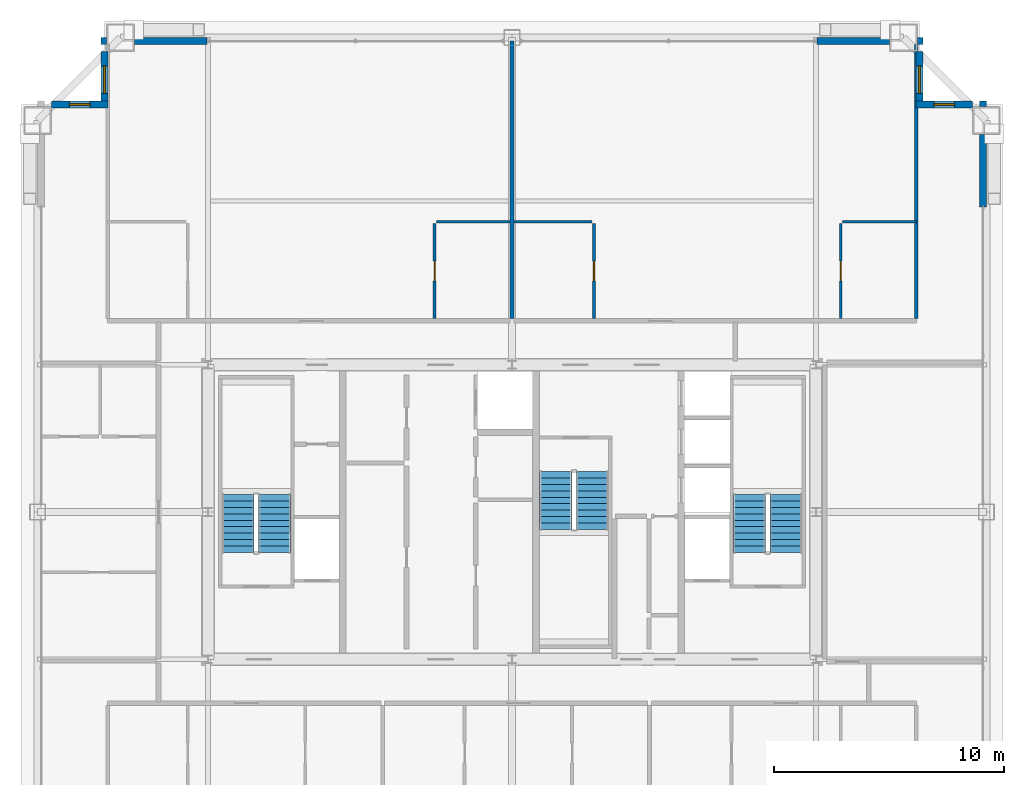
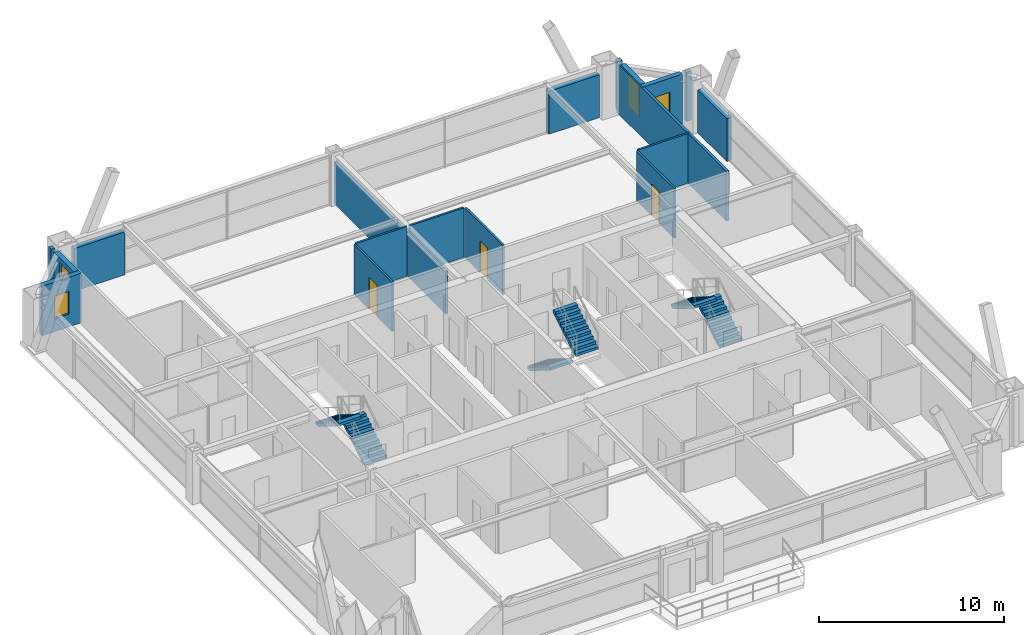
# One storey, part 34 of 35: 18 walls, 6 stair flights, 4 windows, 3 doors, 7 openings, 3 elements without a shape of their own.
"""IFC4 building model written with IfcOpenShell, lengths in metres."""

from ifc_helpers import new_model, si_unit, direction, frame, frame_2d, origin, place, context, subcontext, project, spatial, polyline, rectangle, outline, extrude, source, transform, mapped, material, layer, layer_set, type_object, element, fill, aggregate, save


model = new_model("IFC4")

# Units and contexts
model_context = context("Model", 3, precision=1e-05, world=origin(), true_north=direction((0.0, 1.0)))
body_context = subcontext(model_context, "Body", "Model", "MODEL_VIEW")
ifc_project = project(units=[si_unit("LENGTHUNIT", "METRE"), si_unit("AREAUNIT", "SQUARE_METRE"), si_unit("VOLUMEUNIT", "CUBIC_METRE"), si_unit("PLANEANGLEUNIT", "RADIAN"), si_unit("MASSUNIT", "GRAM", prefix="KILO"), si_unit("THERMODYNAMICTEMPERATUREUNIT", "KELVIN"), si_unit("POWERUNIT", "WATT")], contexts=[model_context])

# Site, building, storey
site_placement = place(None, origin())
site = spatial("IfcSite", under=ifc_project, at=site_placement, CompositionType="ELEMENT")
building_placement = place(site_placement, origin())
building = spatial("IfcBuilding", under=site, at=building_placement, Name="Yuzanri Waterfront Tower", CompositionType="ELEMENT")
storey_placement = place(building_placement, frame((0.0, 0.0, 271.60009765625)))
storey = spatial("IfcBuildingStorey", under=building, at=storey_placement, Name="L72", CompositionType="ELEMENT", Elevation=271.60009765625)

# Wall, opening, door
ifc_material_1 = material(Name="Moisture-Resistant Gypsum Stud Wall", Category="gypsum")
ifc_layer_1 = layer(ifc_material_1, 0.1201171875)
ifc_layer_set_1 = layer_set([ifc_layer_1], Name="Moisture-Resistant Gypsum Stud Wall")
wall_type_1 = type_object("IfcWallType", Name="Bathroom and Kitchen Wet Partition 120", PredefinedType="PARTITIONING", material=ifc_layer_set_1)
wall_1_placement = place(storey_placement, frame((33.639892578125, 34.2099609375, 0.0), z_axis=(0.0, 0.0, 1.0), x_axis=(0.0, 1.0, 0.0)))
wall_1 = element("IfcWall", 1, at=wall_1_placement, inside=storey, type_object=wall_type_1, Name="L72 Partition UW-L72-HN1-SUB-2-W", PredefinedType="PARTITIONING", context=body_context, shape_type="SweptSolid", body=[
    extrude(rectangle(XDim=4.110107421875, YDim=0.1201171875, at=frame_2d((2.05517578125, 0.0))), origin(), (0.0, 0.0, 1.0), 3.27978515625),
])
opening_1_placement = place(wall_1_placement, frame((1.6298828125, 0.0, 0.0)))
opening_1 = element("IfcOpeningElement", 2, at=opening_1_placement, cuts=wall_1, Name="Opening ID-0850", PredefinedType="OPENING", context=body_context, shape_type="SweptSolid", body=[
    extrude(rectangle(XDim=0.85009765625, YDim=2.10009765625, at=frame_2d((0.425048828125, 1.050048828125))), frame((0.0, 0.074951171875, 0.0), z_axis=(0.0, -1.0, 0.0), x_axis=(1.0, 0.0, 0.0)), (0.0, 0.0, 1.0), 0.14990234375),
])
ifc_material_2 = material(Name="Moisture-Resistant Lacquered Timber", Category="wood")
door_type = type_object("IfcDoorType", Name="En-Suite Bathroom and Kitchen Swing Door 850x2100", OperationType="NOTDEFINED", PredefinedType="DOOR", material=ifc_material_2)
shared_shape_1 = source(origin(), body_context, "Body", "SweptSolid", [
    extrude(rectangle(XDim=0.85009765625, YDim=2.10009765625, at=frame_2d((0.425048828125, 1.050048828125))), frame((0.0, 0.02490234375, 0.0), z_axis=(0.0, -1.0, 0.0), x_axis=(1.0, 0.0, 0.0)), (0.0, 0.0, 1.0), 0.050048828125),
])
door_1_placement = place(opening_1_placement, origin())
door_1 = element("IfcDoor", 3, at=door_1_placement, inside=storey, type_object=door_type, Name="L72 Suite Interior Room Door", OperationType="SINGLE_SWING_RIGHT", OverallHeight=2.10009765625, OverallWidth=0.85009765625, PredefinedType="DOOR", context=body_context, shape_type="MappedRepresentation", body=[
    mapped(shared_shape_1, transform((0.0, 0.0, 0.0), scale=1.0)),
])
fill(opening_1, door_1)

wall_2_placement = place(storey_placement, frame((40.56005859375, 34.2099609375, 0.0), z_axis=(0.0, 0.0, 1.0), x_axis=(0.0, 1.0, 0.0)))
wall_2 = element("IfcWall", 4, at=wall_2_placement, inside=storey, type_object=wall_type_1, Name="L72 Partition UW-L72-HN2-SUB-1-E", PredefinedType="PARTITIONING", context=body_context, shape_type="SweptSolid", body=[
    extrude(rectangle(XDim=4.110107421875, YDim=0.1201171875, at=frame_2d((2.05517578125, 0.0))), origin(), (0.0, 0.0, 1.0), 3.27978515625),
])
opening_2_placement = place(wall_2_placement, frame((1.6298828125, 0.0, 0.0)))
opening_2 = element("IfcOpeningElement", 5, at=opening_2_placement, cuts=wall_2, Name="Opening ID-0850", PredefinedType="OPENING", context=body_context, shape_type="SweptSolid", body=[
    extrude(rectangle(XDim=0.85009765625, YDim=2.10009765625, at=frame_2d((0.425048828125, 1.050048828125))), frame((0.0, 0.074951171875, 0.0), z_axis=(0.0, -1.0, 0.0), x_axis=(1.0, 0.0, 0.0)), (0.0, 0.0, 1.0), 0.14990234375),
])
door_2_placement = place(opening_2_placement, origin())
door_2 = element("IfcDoor", 6, at=door_2_placement, inside=storey, type_object=door_type, Name="L72 Suite Interior Room Door", OperationType="SINGLE_SWING_RIGHT", OverallHeight=2.10009765625, OverallWidth=0.85009765625, PredefinedType="DOOR", context=body_context, shape_type="MappedRepresentation", body=[
    mapped(shared_shape_1, transform((0.0, 0.0, 0.0), scale=1.0)),
])
fill(opening_2, door_2)

wall_3_placement = place(storey_placement, frame((51.280029296875, 34.2099609375, 0.0), z_axis=(0.0, 0.0, 1.0), x_axis=(0.0, 1.0, 0.0)))
wall_3 = element("IfcWall", 7, at=wall_3_placement, inside=storey, type_object=wall_type_1, Name="L72 Partition UW-L72-HN2-SUB-2-W", PredefinedType="PARTITIONING", context=body_context, shape_type="SweptSolid", body=[
    extrude(rectangle(XDim=4.110107421875, YDim=0.1201171875, at=frame_2d((2.05517578125, 0.0))), origin(), (0.0, 0.0, 1.0), 3.27978515625),
])
opening_3_placement = place(wall_3_placement, frame((1.6298828125, 0.0, 0.0)))
opening_3 = element("IfcOpeningElement", 8, at=opening_3_placement, cuts=wall_3, Name="Opening ID-0850", PredefinedType="OPENING", context=body_context, shape_type="SweptSolid", body=[
    extrude(rectangle(XDim=0.85009765625, YDim=2.10009765625, at=frame_2d((0.425048828125, 1.050048828125))), frame((0.0, 0.074951171875, 0.0), z_axis=(0.0, -1.0, 0.0), x_axis=(1.0, 0.0, 0.0)), (0.0, 0.0, 1.0), 0.14990234375),
])
door_3_placement = place(opening_3_placement, origin())
door_3 = element("IfcDoor", 9, at=door_3_placement, inside=storey, type_object=door_type, Name="L72 Suite Interior Room Door", OperationType="SINGLE_SWING_LEFT", OverallHeight=2.10009765625, OverallWidth=0.85009765625, PredefinedType="DOOR", context=body_context, shape_type="MappedRepresentation", body=[
    mapped(shared_shape_1, transform((0.0, 0.0, 0.0), scale=1.0)),
])
fill(opening_3, door_3)

# Wall, opening, window
ifc_material_3 = material(Name="Honed Chongqing Dark Basalt Stone", Category="masonry")
ifc_layer_2 = layer(ifc_material_3, 0.300048828125)
ifc_layer_set_2 = layer_set([ifc_layer_2], Name="Honed Chongqing Dark Basalt Stone")
wall_type_2 = type_object("IfcWallType", Name="Bronze Rainscreen Insulated Spandrel Portal Wall 300", PredefinedType="SOLIDWALL", material=ifc_layer_set_2)
wall_4_placement = place(storey_placement, frame((19.449951171875, 43.5, 0.0), z_axis=(0.0, 0.0, 1.0), x_axis=(-1.0, 0.0, 0.0)))
wall_4 = element("IfcWall", 10, at=wall_4_placement, inside=storey, type_object=wall_type_2, Name="L72 Notched Corner Masonry Wall NW-X", PredefinedType="SOLIDWALL", context=body_context, shape_type="SweptSolid", body=[
    extrude(rectangle(XDim=2.449951171875, YDim=0.300048828125, at=frame_2d((1.22509765625, 0.0))), origin(), (0.0, 0.0, 1.0), 3.27978515625),
])
opening_4_placement = place(wall_4_placement, frame((0.77490234375, 0.0, 0.85009765625)))
opening_4 = element("IfcOpeningElement", 11, at=opening_4_placement, cuts=wall_4, Name="Opening WN-05", PredefinedType="OPENING", context=body_context, shape_type="SweptSolid", body=[
    extrude(rectangle(XDim=0.89990234375, YDim=1.5, at=frame_2d((0.449951171875, 0.75))), frame((0.0, 0.1650390625, 0.0), z_axis=(0.0, -1.0, 0.0), x_axis=(1.0, 0.0, 0.0)), (0.0, 0.0, 1.0), 0.329833984375),
])
ifc_material_4 = material(Name="Double-Silver Low-E Insulated Glass", Category="glass")
window_type_1 = type_object("IfcWindowType", Name="Anodized Bronze Service and Stairwell Smoke-Vent Window 900x1500", PartitioningType="SINGLE_PANEL", PredefinedType="WINDOW", material=ifc_material_4)
shared_shape_2 = source(origin(), body_context, "Body", "SweptSolid", [
    extrude(rectangle(XDim=0.89990234375, YDim=1.5, at=frame_2d((0.449951171875, 0.75))), frame((0.0, 0.030029296875, 0.0), z_axis=(0.0, -1.0, 0.0), x_axis=(1.0, 0.0, 0.0)), (0.0, 0.0, 1.0), 0.06005859375),
])
window_1_placement = place(opening_4_placement, origin())
window_1 = element("IfcWindow", 12, at=window_1_placement, inside=storey, type_object=window_type_1, Name="L72 Notched Corner Window NW-X", OverallHeight=1.5, OverallWidth=0.89990234375, PartitioningType="SINGLE_PANEL", PredefinedType="WINDOW", context=body_context, shape_type="MappedRepresentation", body=[
    mapped(shared_shape_2, transform((0.0, 0.0, 0.0), scale=1.0)),
])
fill(opening_4, window_1)

wall_5_placement = place(storey_placement, frame((19.300048828125, 45.800048828125, 0.0), z_axis=(0.0, 0.0, 1.0), x_axis=(0.0, -1.0, 0.0)))
wall_5 = element("IfcWall", 13, at=wall_5_placement, inside=storey, type_object=wall_type_2, Name="L72 Notched Corner Masonry Wall NW-Y", PredefinedType="SOLIDWALL", context=body_context, shape_type="SweptSolid", body=[
    extrude(rectangle(XDim=2.449951171875, YDim=0.300048828125, at=frame_2d((1.22509765625, 0.0))), origin(), (0.0, 0.0, 1.0), 3.27978515625),
])
opening_5_placement = place(wall_5_placement, frame((0.625, 0.0, 0.85009765625)))
opening_5 = element("IfcOpeningElement", 14, at=opening_5_placement, cuts=wall_5, Name="Opening WN-02", PredefinedType="OPENING", context=body_context, shape_type="SweptSolid", body=[
    extrude(rectangle(XDim=1.199951171875, YDim=2.10009765625, at=frame_2d((0.60009765625, 1.050048828125))), frame((0.0, 0.1650390625, 0.0), z_axis=(0.0, -1.0, 0.0), x_axis=(1.0, 0.0, 0.0)), (0.0, 0.0, 1.0), 0.329833984375),
])
ifc_material_5 = material(Name="Double-Silver Low-E Insulated Glass", Category="glass")
window_type_2 = type_object("IfcWindowType", Name="Anodized Bronze Notched Corner Deep-Set Slot Window 1200x2100", PartitioningType="SINGLE_PANEL", PredefinedType="WINDOW", material=ifc_material_5)
shared_shape_3 = source(origin(), body_context, "Body", "SweptSolid", [
    extrude(rectangle(XDim=1.199951171875, YDim=2.10009765625, at=frame_2d((0.60009765625, 1.050048828125))), frame((0.0, 0.030029296875, 0.0), z_axis=(0.0, -1.0, 0.0), x_axis=(1.0, 0.0, 0.0)), (0.0, 0.0, 1.0), 0.06005859375),
])
window_2_placement = place(opening_5_placement, origin())
window_2 = element("IfcWindow", 15, at=window_2_placement, inside=storey, type_object=window_type_2, Name="L72 Notched Corner Window NW-Y", OverallHeight=2.10009765625, OverallWidth=1.199951171875, PartitioningType="SINGLE_PANEL", PredefinedType="WINDOW", context=body_context, shape_type="MappedRepresentation", body=[
    mapped(shared_shape_3, transform((0.0, 0.0, 0.0), scale=1.0)),
])
fill(opening_5, window_2)

wall_6_placement = place(storey_placement, frame((57.0, 43.5, 0.0), z_axis=(0.0, 0.0, 1.0), x_axis=(-1.0, 0.0, 0.0)))
wall_6 = element("IfcWall", 16, at=wall_6_placement, inside=storey, type_object=wall_type_2, Name="L72 Notched Corner Masonry Wall NE-X", PredefinedType="SOLIDWALL", context=body_context, shape_type="SweptSolid", body=[
    extrude(rectangle(XDim=2.449951171875, YDim=0.300048828125, at=frame_2d((1.22509765625, 0.0))), origin(), (0.0, 0.0, 1.0), 3.27978515625),
])
opening_6_placement = place(wall_6_placement, frame((0.77490234375, 0.0, 0.85009765625)))
opening_6 = element("IfcOpeningElement", 17, at=opening_6_placement, cuts=wall_6, Name="Opening WN-05", PredefinedType="OPENING", context=body_context, shape_type="SweptSolid", body=[
    extrude(rectangle(XDim=0.89990234375, YDim=1.5, at=frame_2d((0.449951171875, 0.75))), frame((0.0, 0.1650390625, 0.0), z_axis=(0.0, -1.0, 0.0), x_axis=(1.0, 0.0, 0.0)), (0.0, 0.0, 1.0), 0.329833984375),
])
window_3_placement = place(opening_6_placement, origin())
window_3 = element("IfcWindow", 18, at=window_3_placement, inside=storey, type_object=window_type_1, Name="L72 Notched Corner Window NE-X", OverallHeight=1.5, OverallWidth=0.89990234375, PartitioningType="SINGLE_PANEL", PredefinedType="WINDOW", context=body_context, shape_type="MappedRepresentation", body=[
    mapped(shared_shape_2, transform((0.0, 0.0, 0.0), scale=1.0)),
])
fill(opening_6, window_3)

wall_7_placement = place(storey_placement, frame((54.699951171875, 43.35009765625, 0.0), z_axis=(0.0, 0.0, 1.0), x_axis=(0.0, 1.0, 0.0)))
wall_7 = element("IfcWall", 19, at=wall_7_placement, inside=storey, type_object=wall_type_2, Name="L72 Notched Corner Masonry Wall NE-Y", PredefinedType="SOLIDWALL", context=body_context, shape_type="SweptSolid", body=[
    extrude(rectangle(XDim=2.449951171875, YDim=0.300048828125, at=frame_2d((1.22509765625, 0.0))), origin(), (0.0, 0.0, 1.0), 3.27978515625),
])
opening_7_placement = place(wall_7_placement, frame((0.625, 0.0, 0.85009765625)))
opening_7 = element("IfcOpeningElement", 20, at=opening_7_placement, cuts=wall_7, Name="Opening WN-02", PredefinedType="OPENING", context=body_context, shape_type="SweptSolid", body=[
    extrude(rectangle(XDim=1.199951171875, YDim=2.10009765625, at=frame_2d((0.60009765625, 1.050048828125))), frame((0.0, 0.1650390625, 0.0), z_axis=(0.0, -1.0, 0.0), x_axis=(1.0, 0.0, 0.0)), (0.0, 0.0, 1.0), 0.329833984375),
])
window_4_placement = place(opening_7_placement, origin())
window_4 = element("IfcWindow", 21, at=window_4_placement, inside=storey, type_object=window_type_2, Name="L72 Notched Corner Window NE-Y", OverallHeight=2.10009765625, OverallWidth=1.199951171875, PartitioningType="SINGLE_PANEL", PredefinedType="WINDOW", context=body_context, shape_type="MappedRepresentation", body=[
    mapped(shared_shape_3, transform((0.0, 0.0, 0.0), scale=1.0)),
])
fill(opening_7, window_4)

# Walls
shared_shape_4 = source(origin(), body_context, "Body", "SweptSolid", [
    extrude(rectangle(XDim=0.25, YDim=0.300048828125, at=frame_2d((0.125, 0.0))), origin(), (0.0, 0.0, 1.0), 3.27978515625),
])
for number, where, z_axis, x_axis, name in (
    (22, (19.14990234375, 46.25, 0.0), (0.0, 0.0, 1.0), (1.0, 0.0, 0.0), "L72 Corner Column Shoulder Return CNW"),
    (23, (54.60009765625, 46.25, 0.0), (0.0, 0.0, 1.0), (1.0, 0.0, 0.0), "L72 Corner Column Shoulder Return CNE"),
    (24, (57.449951171875, 43.39990234375, 0.0), (0.0, 0.0, 1.0), (0.0, 1.0, 0.0), "L72 Corner Column Shoulder Return CEN"),
):
    element("IfcWall", number, at=place(storey_placement, frame(where, z_axis=z_axis, x_axis=x_axis)), inside=storey, type_object=wall_type_2, Name=name, PredefinedType="SOLIDWALL", context=body_context, shape_type="MappedRepresentation", body=[
        mapped(shared_shape_4, transform((0.0, 0.0, 0.0), scale=1.0)),
    ])
shared_shape_5 = source(origin(), body_context, "Body", "SweptSolid", [
    extrude(rectangle(XDim=3.14990234375, YDim=0.300048828125, at=frame_2d((1.574951171875, 0.0))), origin(), (0.0, 0.0, 1.0), 2.8349609375),
])
for number, where, z_axis, x_axis, name in (
    (25, (20.60009765625, 46.25, 0.0), (0.0, 0.0, 1.0), (1.0, 0.0, 0.0), "L72 N Left Braced Masonry Shoulder"),
    (26, (50.25, 46.25, 0.0), (0.0, 0.0, 1.0), (1.0, 0.0, 0.0), "L72 N Right Braced Masonry Shoulder"),
    (27, (57.449951171875, 39.050048828125, 0.0), (0.0, 0.0, 1.0), (0.0, 1.0, 0.0), "L72 E Right Braced Masonry Shoulder"),
):
    element("IfcWall", number, at=place(storey_placement, frame(where, z_axis=z_axis, x_axis=x_axis)), inside=storey, type_object=wall_type_2, Name=name, PredefinedType="SOLIDWALL", context=body_context, shape_type="MappedRepresentation", body=[
        mapped(shared_shape_5, transform((0.0, 0.0, 0.0), scale=1.0)),
    ])
ifc_material_6 = material(Name="Gypsum Fireboard Acoustic Stud Wall", Category="gypsum")
ifc_layer_3 = layer(ifc_material_6, 0.159912109375)
ifc_layer_set_3 = layer_set([ifc_layer_3], Name="Gypsum Fireboard Acoustic Stud Wall")
wall_type_3 = type_object("IfcWallType", Name="Acoustic Suite Demising Partition 160", PredefinedType="PARTITIONING", material=ifc_layer_set_3)
shared_shape_6 = source(origin(), body_context, "Body", "SweptSolid", [
    extrude(rectangle(XDim=12.0400390625, YDim=0.159912109375, at=frame_2d((6.02001953125, 0.0))), origin(), (0.0, 0.0, 1.0), 2.786865234375),
])
wall_8_placement = place(storey_placement, frame((37.0, 34.2099609375, 0.0), z_axis=(0.0, 0.0, 1.0), x_axis=(0.0, 1.0, 0.0)))
element("IfcWall", 28, at=wall_8_placement, inside=storey, type_object=wall_type_3, Name="L72-HN1 Party Wall", PredefinedType="PARTITIONING", context=body_context, shape_type="MappedRepresentation", body=[
    mapped(shared_shape_6, transform((0.0, 0.0, 0.0), scale=1.0)),
])
shared_shape_7 = source(origin(), body_context, "Body", "SweptSolid", [
    extrude(rectangle(XDim=3.199951171875, YDim=0.1201171875, at=frame_2d((1.60009765625, 0.0))), origin(), (0.0, 0.0, 1.0), 3.27978515625),
])
for number, where, z_axis, x_axis, name in (
    (29, (33.719970703125, 38.39990234375, 0.0), (0.0, 0.0, 1.0), (1.0, 0.0, 0.0), "L72 Partition UW-L72-HN1-SUB-2-N"),
    (30, (51.360107421875, 38.39990234375, 0.0), (0.0, 0.0, 1.0), (1.0, 0.0, 0.0), "L72 Partition UW-L72-HN2-SUB-2-N"),
):
    element("IfcWall", number, at=place(storey_placement, frame(where, z_axis=z_axis, x_axis=x_axis)), inside=storey, type_object=wall_type_1, Name=name, PredefinedType="PARTITIONING", context=body_context, shape_type="MappedRepresentation", body=[
        mapped(shared_shape_7, transform((0.0, 0.0, 0.0), scale=1.0)),
    ])
shared_shape_8 = source(origin(), body_context, "Body", "SweptSolid", [
    extrude(rectangle(XDim=11.89013671875, YDim=0.159912109375, at=frame_2d((5.945068359375, 0.0))), origin(), (0.0, 0.0, 1.0), 3.27978515625),
])
wall_9_placement = place(storey_placement, frame((54.550048828125, 34.2099609375, 0.0), z_axis=(0.0, 0.0, 1.0), x_axis=(0.0, 1.0, 0.0)))
element("IfcWall", 31, at=wall_9_placement, inside=storey, type_object=wall_type_3, Name="L72 North Band East End Wall", PredefinedType="PARTITIONING", context=body_context, shape_type="MappedRepresentation", body=[
    mapped(shared_shape_8, transform((0.0, 0.0, 0.0), scale=1.0)),
])
shared_shape_9 = source(origin(), body_context, "Body", "SweptSolid", [
    extrude(rectangle(XDim=3.39990234375, YDim=0.1201171875, at=frame_2d((1.699951171875, 0.0))), origin(), (0.0, 0.0, 1.0), 3.27978515625),
])
wall_10_placement = place(storey_placement, frame((37.080078125, 38.39990234375, 0.0), z_axis=(0.0, 0.0, 1.0), x_axis=(1.0, 0.0, 0.0)))
element("IfcWall", 32, at=wall_10_placement, inside=storey, type_object=wall_type_1, Name="L72 Partition UW-L72-HN2-SUB-1-N", PredefinedType="PARTITIONING", context=body_context, shape_type="MappedRepresentation", body=[
    mapped(shared_shape_9, transform((0.0, 0.0, 0.0), scale=1.0)),
])

# Stair, stair flights
ifc_material_7 = material(Name="Concrete C40", Category="concrete")
stair_type = type_object("IfcStairType", Name="Concrete C40 Core Dogleg Exit Stair", PredefinedType="HALF_TURN_STAIR", material=ifc_material_7)
stair_1_placement = place(storey_placement, origin())
stair_1 = element("IfcStair", 33, at=stair_1_placement, inside=storey, type_object=stair_type, Name="L72 Smoke-Proof Core Stair ST-01", PredefinedType="HALF_TURN_STAIR")
ifc_material_8 = material(Name="Concrete C40", Category="concrete")
stair_flight_type = type_object("IfcStairFlightType", Name="Concrete C40 Precast Stair Flight 1380", PredefinedType="STRAIGHT", material=ifc_material_8)
shared_shape_10 = source(origin(), body_context, "Body", "SweptSolid", [
    extrude(outline(polyline([(0.0, 0.0), (0.0, 0.175048828125), (0.280029296875, 0.175048828125), (0.280029296875, 0.35009765625), (0.56005859375, 0.35009765625), (0.56005859375, 0.52490234375), (0.840087890625, 0.52490234375), (0.840087890625, 0.699951171875), (1.1201171875, 0.699951171875), (1.1201171875, 0.875), (1.39990234375, 0.875), (1.39990234375, 1.050048828125), (1.679931640625, 1.050048828125), (1.679931640625, 1.22509765625), (1.9599609375, 1.22509765625), (1.9599609375, 1.39990234375), (2.239990234375, 1.39990234375), (2.239990234375, 1.574951171875), (2.52001953125, 1.574951171875), (2.52001953125, 1.75), (2.52001953125, 1.398193359375), (0.28271484375, 0.0), (0.0, 0.0)])), frame((0.0, 0.699951171875, 0.0), z_axis=(0.0, -1.0, 0.0), x_axis=(1.0, 0.0, 0.0)), (0.0, 0.0, 1.0), 1.39990234375),
])
stair_flight_1_placement = place(storey_placement, frame((26.699951171875, 24.0400390625, 0.0), z_axis=(0.0, 0.0, 1.0), x_axis=(0.0, 1.0, 0.0)))
stair_flight_1 = element("IfcStairFlight", 34, at=stair_flight_1_placement, type_object=stair_flight_type, Name="ST-01 flight 1", NumberOfRisers=10, NumberOfTreads=9, PredefinedType="STRAIGHT", RiserHeight=0.175, TreadLength=0.28, context=body_context, shape_type="MappedRepresentation", body=[
    mapped(shared_shape_10, transform((0.0, 0.0, 0.0), scale=1.0)),
])
stair_flight_2_placement = place(storey_placement, frame((25.10009765625, 26.56005859375, 1.75), z_axis=(0.0, 0.0, 1.0), x_axis=(0.0, -1.0, 0.0)))
stair_flight_2 = element("IfcStairFlight", 35, at=stair_flight_2_placement, type_object=stair_flight_type, Name="ST-01 flight 2", NumberOfRisers=10, NumberOfTreads=9, PredefinedType="STRAIGHT", RiserHeight=0.175, TreadLength=0.28, context=body_context, shape_type="MappedRepresentation", body=[
    mapped(shared_shape_10, transform((0.0, 0.0, 0.0), scale=1.0)),
])
aggregate(stair_1, [stair_flight_1, stair_flight_2])

stair_2_placement = place(storey_placement, origin())
stair_2 = element("IfcStair", 36, at=stair_2_placement, inside=storey, type_object=stair_type, Name="L72 Smoke-Proof Core Stair ST-02", PredefinedType="HALF_TURN_STAIR")
stair_flight_3_placement = place(storey_placement, frame((48.89990234375, 24.0400390625, 0.0), z_axis=(0.0, 0.0, 1.0), x_axis=(0.0, 1.0, 0.0)))
stair_flight_3 = element("IfcStairFlight", 37, at=stair_flight_3_placement, type_object=stair_flight_type, Name="ST-02 flight 1", NumberOfRisers=10, NumberOfTreads=9, PredefinedType="STRAIGHT", RiserHeight=0.175, TreadLength=0.28, context=body_context, shape_type="MappedRepresentation", body=[
    mapped(shared_shape_10, transform((0.0, 0.0, 0.0), scale=1.0)),
])
stair_flight_4_placement = place(storey_placement, frame((47.300048828125, 26.56005859375, 1.75), z_axis=(0.0, 0.0, 1.0), x_axis=(0.0, -1.0, 0.0)))
stair_flight_4 = element("IfcStairFlight", 38, at=stair_flight_4_placement, type_object=stair_flight_type, Name="ST-02 flight 2", NumberOfRisers=10, NumberOfTreads=9, PredefinedType="STRAIGHT", RiserHeight=0.175, TreadLength=0.28, context=body_context, shape_type="MappedRepresentation", body=[
    mapped(shared_shape_10, transform((0.0, 0.0, 0.0), scale=1.0)),
])
aggregate(stair_2, [stair_flight_3, stair_flight_4])

stair_3_placement = place(storey_placement, origin())
stair_3 = element("IfcStair", 39, at=stair_3_placement, inside=storey, type_object=stair_type, Name="L72 Smoke-Proof Core Stair ST-03", PredefinedType="HALF_TURN_STAIR")
stair_flight_5_placement = place(storey_placement, frame((38.89990234375, 27.56005859375, 0.0), z_axis=(0.0, 0.0, 1.0), x_axis=(0.0, -1.0, 0.0)))
stair_flight_5 = element("IfcStairFlight", 40, at=stair_flight_5_placement, type_object=stair_flight_type, Name="ST-03 flight 1", NumberOfRisers=10, NumberOfTreads=9, PredefinedType="STRAIGHT", RiserHeight=0.175, TreadLength=0.28, context=body_context, shape_type="MappedRepresentation", body=[
    mapped(shared_shape_10, transform((0.0, 0.0, 0.0), scale=1.0)),
])
stair_flight_6_placement = place(storey_placement, frame((40.5, 25.0400390625, 1.75), z_axis=(0.0, 0.0, 1.0), x_axis=(0.0, 1.0, 0.0)))
stair_flight_6 = element("IfcStairFlight", 41, at=stair_flight_6_placement, type_object=stair_flight_type, Name="ST-03 flight 2", NumberOfRisers=10, NumberOfTreads=9, PredefinedType="STRAIGHT", RiserHeight=0.175, TreadLength=0.28, context=body_context, shape_type="MappedRepresentation", body=[
    mapped(shared_shape_10, transform((0.0, 0.0, 0.0), scale=1.0)),
])
aggregate(stair_3, [stair_flight_5, stair_flight_6])

save(model, "model.ifc")
